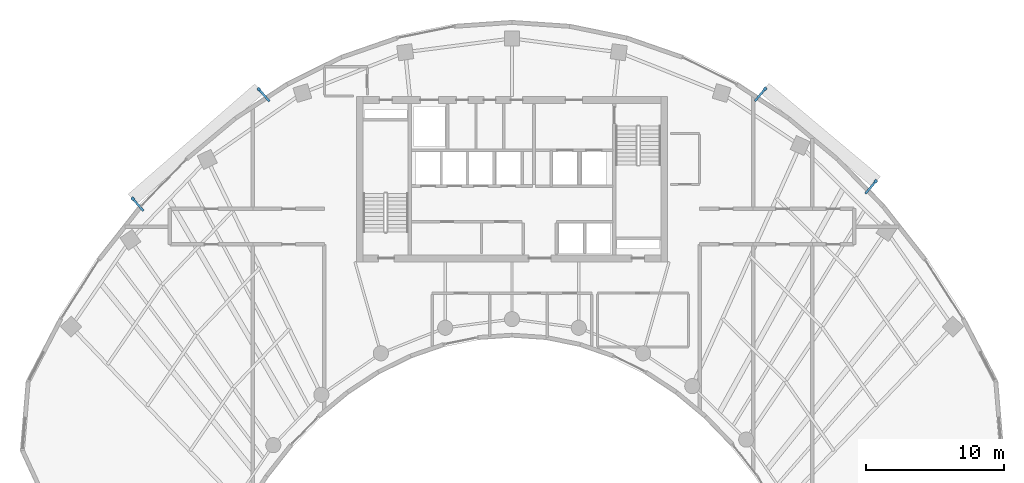
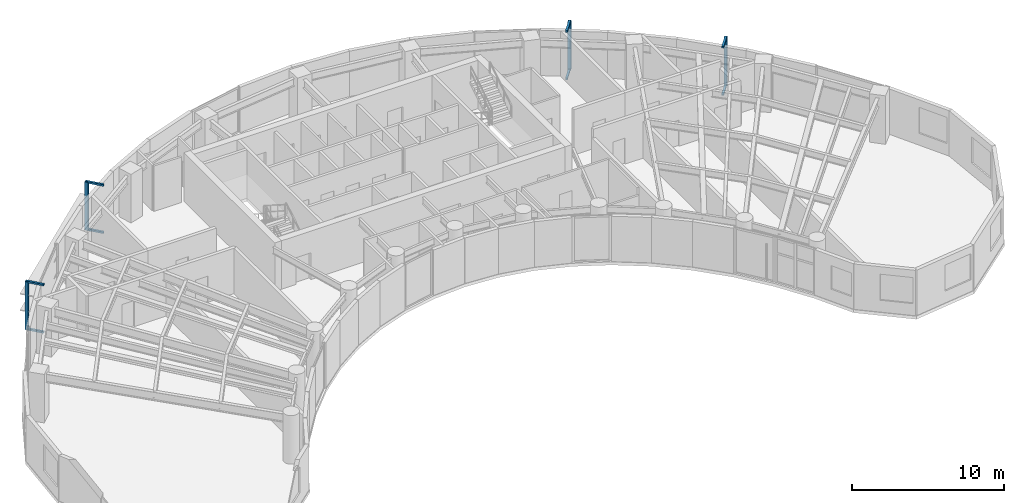
# One storey, part 12 of 14: 12 discrete accessories.
"""IFC4 building model written with IfcOpenShell, lengths in metres."""

from ifc_helpers import new_model, si_unit, direction, frame, origin, origin_2d, place, context, subcontext, project, spatial, rectangle, extrude, source, transform, mapped, material, type_object, type_shapes, element, save


model = new_model("IFC4")

# Units and contexts
model_context = context("Model", 3, precision=1e-05, world=origin(), true_north=direction((0.0, 1.0)))
body_context = subcontext(model_context, "Body", "Model", "MODEL_VIEW")
ifc_project = project(units=[si_unit("LENGTHUNIT", "METRE"), si_unit("AREAUNIT", "SQUARE_METRE"), si_unit("VOLUMEUNIT", "CUBIC_METRE"), si_unit("PLANEANGLEUNIT", "RADIAN"), si_unit("MASSUNIT", "GRAM", prefix="KILO")], contexts=[model_context])

# Site, building, storey
site_placement = place(None, origin())
site = spatial("IfcSite", under=ifc_project, at=site_placement, CompositionType="ELEMENT")
building_placement = place(site_placement, origin())
building = spatial("IfcBuilding", under=site, at=building_placement, Name="Breltana Convention Tower", CompositionType="ELEMENT")
storey_placement = place(building_placement, frame((0.0, 0.0, 177.89990234375)))
storey = spatial("IfcBuildingStorey", under=building, at=storey_placement, Name="L43", CompositionType="ELEMENT", Elevation=177.89990234375)

# Discrete accessories
ifc_material = material(Name="Steel S355", Category="steel")
discrete_accessory_type_1 = type_object("IfcDiscreteAccessoryType", Name="ACC-DSF-BRACKET-150", PredefinedType="BRACKET", material=ifc_material)
shared_shape_1 = source(origin(), body_context, "Body", "SweptSolid", [
    extrude(rectangle(XDim=1.239990234375, YDim=0.14990234375, at=origin_2d()), origin(), (0.0, 0.0, 1.0), 0.139892578125),
])
type_shapes(discrete_accessory_type_1, [shared_shape_1])
for number, where, z_axis, x_axis, name in (
    (1, (20.849853515625, 64.353271484375, -0.15966796875), (0.0, 0.0, 1.0), (-0.65645558996, 0.754364672032, 0.0), "L43 double-skin slab stand-off bracket 1.1B"),
    (2, (20.849853515625, 64.353271484375, 3.650390625), (0.0, 0.0, 1.0), (-0.65645558996, 0.754364672032, 0.0), "L43 double-skin slab stand-off bracket 1.1T"),
    (3, (29.988525390625, 72.305908203125, -0.15966796875), (0.0, 0.0, 1.0), (-0.65645558996, 0.754364672032, 0.0), "L43 double-skin slab stand-off bracket 1.2B"),
    (4, (29.988525390625, 72.305908203125, 3.650390625), (0.0, 0.0, 1.0), (-0.65645558996, 0.754364672032, 0.0), "L43 double-skin slab stand-off bracket 1.2T"),
    (5, (66.019287109375, 72.327880859375, -0.15966796875), (0.0, 0.0, 1.0), (0.641989340657, 0.766713562214, 0.0), "L43 double-skin slab stand-off bracket 2.1B"),
    (6, (66.019287109375, 72.327880859375, 3.650390625), (0.0, 0.0, 1.0), (0.641989340657, 0.766713562214, 0.0), "L43 double-skin slab stand-off bracket 2.1T"),
    (7, (74.037841796875, 65.61376953125, -0.15966796875), (0.0, 0.0, 1.0), (0.641989340657, 0.766713562214, 0.0), "L43 double-skin slab stand-off bracket 2.2B"),
    (8, (74.037841796875, 65.61376953125, 3.650390625), (0.0, 0.0, 1.0), (0.641989340657, 0.766713562214, 0.0), "L43 double-skin slab stand-off bracket 2.2T"),
):
    element("IfcDiscreteAccessory", number, at=place(storey_placement, frame(where, z_axis=z_axis, x_axis=x_axis)), inside=storey, type_object=discrete_accessory_type_1, Name=name, PredefinedType="BRACKET", context=body_context, shape_type="MappedRepresentation", body=[
        mapped(shared_shape_1, transform((0.0, 0.0, 0.0), scale=1.0)),
    ])
discrete_accessory_type_2 = type_object("IfcDiscreteAccessoryType", Name="ACC-DSF-CARRIER-150", PredefinedType="BRACKET", material=ifc_material)
shared_shape_2 = source(origin(), body_context, "Body", "SweptSolid", [
    extrude(rectangle(XDim=0.219970703125, YDim=0.219970703125, at=origin_2d()), origin(), (0.0, 0.0, 1.0), 3.8701171875),
])
for number, where, z_axis, x_axis, name in (
    (9, (20.482177734375, 64.77587890625, -0.119873046875), (0.0, 0.0, 1.0), (-0.65645558996, 0.754364672032, 0.0), "L43 double-skin outer vertical carrier 1.1"),
    (10, (29.620849609375, 72.728271484375, -0.119873046875), (0.0, 0.0, 1.0), (-0.65645558996, 0.754364672032, 0.0), "L43 double-skin outer vertical carrier 1.2"),
    (11, (66.37890625, 72.757080078125, -0.119873046875), (0.0, 0.0, 1.0), (0.641989340657, 0.766713562214, 0.0), "L43 double-skin outer vertical carrier 2.1"),
    (12, (74.3974609375, 66.043212890625, -0.119873046875), (0.0, 0.0, 1.0), (0.641989340657, 0.766713562214, 0.0), "L43 double-skin outer vertical carrier 2.2"),
):
    element("IfcDiscreteAccessory", number, at=place(storey_placement, frame(where, z_axis=z_axis, x_axis=x_axis)), inside=storey, type_object=discrete_accessory_type_2, Name=name, PredefinedType="BRACKET", context=body_context, shape_type="MappedRepresentation", body=[
        mapped(shared_shape_2, transform((0.0, 0.0, 0.0), scale=1.0)),
    ])

save(model, "model.ifc")
